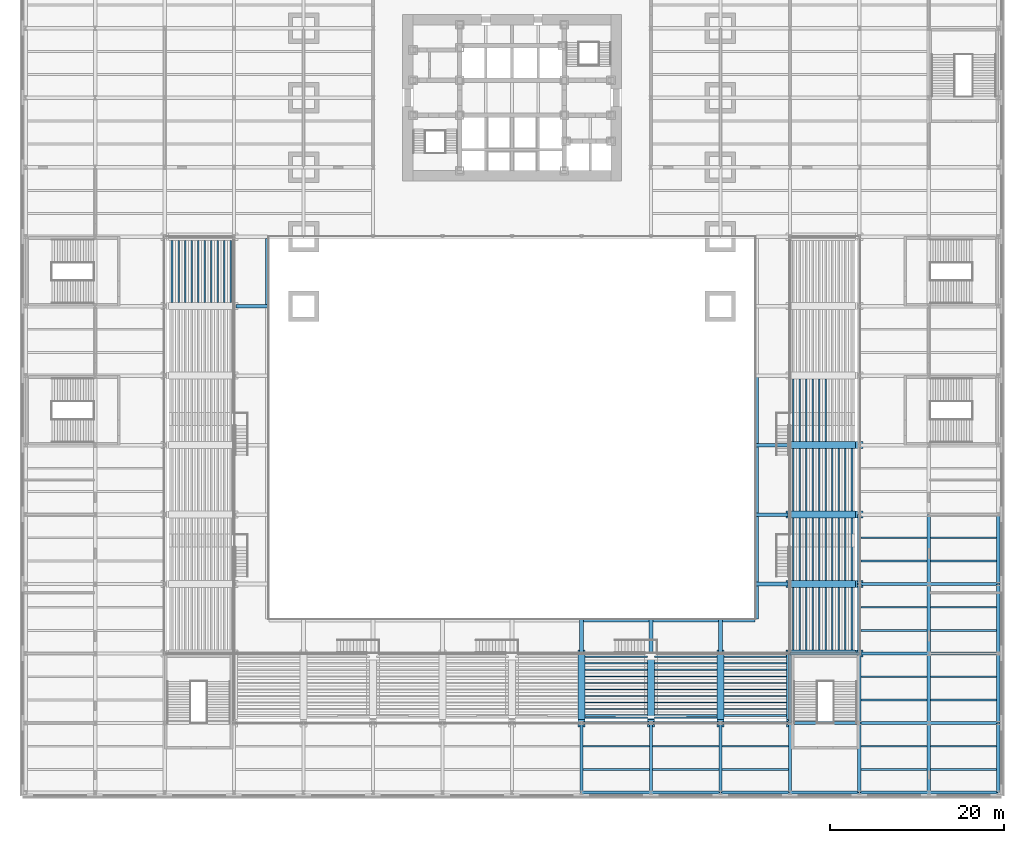
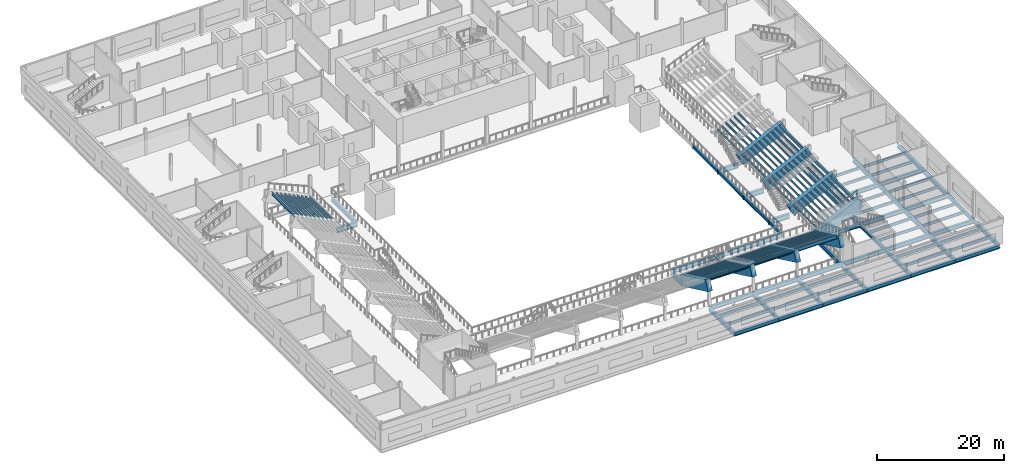
# One storey, part 8 of 27: 155 beams.
"""IFC4 building model written with IfcOpenShell, lengths in metres."""

from ifc_helpers import new_model, si_unit, direction, frame, origin, origin_2d, place, context, subcontext, project, spatial, rectangle, i_section, extrude, material, material_profile, profile_set, type_object, element, save


model = new_model("IFC4")

# Units and contexts
model_context = context("Model", 3, precision=1e-05, world=origin(), true_north=direction((0.0, 1.0)))
body_context = subcontext(model_context, "Body", "Model", "MODEL_VIEW")
ifc_project = project(units=[si_unit("LENGTHUNIT", "METRE"), si_unit("AREAUNIT", "SQUARE_METRE"), si_unit("VOLUMEUNIT", "CUBIC_METRE"), si_unit("PLANEANGLEUNIT", "RADIAN"), si_unit("MASSUNIT", "GRAM", prefix="KILO")], contexts=[model_context])

# Site, building, storey
site_placement = place(None, origin())
site = spatial("IfcSite", under=ifc_project, at=site_placement, CompositionType="ELEMENT")
building_placement = place(site_placement, origin())
building = spatial("IfcBuilding", under=site, at=building_placement, Name="Daluyong Arena Tower", CompositionType="ELEMENT")
storey_placement = place(building_placement, frame((0.0, 0.0, 14.89990234375)))
storey = spatial("IfcBuildingStorey", under=building, at=storey_placement, Name="L03", CompositionType="ELEMENT", Elevation=14.89990234375)

# Beams
ifc_material_1 = material(Name="Steel ASTM A992 Grade 50", Category="steel")
ifc_material_profile_1 = material_profile(ifc_material_1, i_section(OverallWidth=0.424072265625, OverallDepth=0.947509765625, WebThickness=0.02392578125, FlangeThickness=0.042724609375, at=origin_2d()))
ifc_profile_set_1 = profile_set([ifc_material_profile_1], Name="Steel ASTM A992 Grade 50")
beam_type_1 = type_object("IfcBeamType", Name="Cross-aisle bracket W36X302", PredefinedType="BEAM", material=ifc_profile_set_1)
for number, where, z_axis, x_axis, name in (
    (1, (24.203125, 56.0, -0.773681640625), (1.0, 0.0, 0.0), (0.0, 1.0, 0.0), "cross-aisle bracket CB1"),
    (2, (87.796875, 24.0, -0.773681640625), (-1.0, 0.0, 0.0), (0.0, -1.0, 0.0), "cross-aisle bracket CB1"),
    (3, (87.796875, 32.0, -0.773681640625), (-1.0, 0.0, 0.0), (0.0, -1.0, 0.0), "cross-aisle bracket CB1"),
    (4, (87.796875, 40.0, -0.773681640625), (-1.0, 0.0, 0.0), (0.0, -1.0, 0.0), "cross-aisle bracket CB1"),
    (5, (64.0, 16.203125, -0.773681640625), (0.0, 1.0, 0.0), (-1.0, 0.0, 0.0), "cross-aisle bracket CB1"),
    (6, (72.0, 16.203125, -0.773681640625), (0.0, 1.0, 0.0), (-1.0, 0.0, 0.0), "cross-aisle bracket CB1"),
    (7, (80.0, 16.203125, -0.773681640625), (0.0, 1.0, 0.0), (-1.0, 0.0, 0.0), "cross-aisle bracket CB1"),
):
    element("IfcBeam", number, at=place(storey_placement, frame(where, z_axis=z_axis, x_axis=x_axis)), inside=storey, type_object=beam_type_1, Name=name, PredefinedType="BEAM", context=body_context, shape_type="SweptSolid", body=[
        extrude(i_section(OverallWidth=0.424072265625, OverallDepth=0.947509765625, WebThickness=0.02392578125, FlangeThickness=0.042724609375, at=origin_2d()), origin(), (0.0, 0.0, 1.0), 3.796875),
    ])
ifc_material_2 = material(Name="Steel ASTM A992 Grade 50", Category="steel")
ifc_material_profile_2 = material_profile(ifc_material_2, i_section(OverallWidth=0.381103515625, OverallDepth=0.772216796875, WebThickness=0.0166015625, FlangeThickness=0.027099609375, at=origin_2d()))
ifc_profile_set_2 = profile_set([ifc_material_profile_2], Name="Steel ASTM A992 Grade 50")
beam_type_2 = type_object("IfcBeamType", Name="Cross-aisle edge beam W30X173", PredefinedType="BEAM", material=ifc_profile_set_2)
beam_1_placement = place(storey_placement, frame((27.8095703125, 56.0, -0.68603515625), z_axis=(0.0, 1.0, 0.0), x_axis=(-1.0, 0.0, 0.0)))
element("IfcBeam", 8, at=beam_1_placement, inside=storey, type_object=beam_type_2, Name="cross-aisle edge beam CE1", PredefinedType="BEAM", context=body_context, shape_type="SweptSolid", body=[
    extrude(i_section(OverallWidth=0.381103515625, OverallDepth=0.772216796875, WebThickness=0.0166015625, FlangeThickness=0.027099609375, at=origin_2d()), origin(), (0.0, 0.0, 1.0), 7.8095703125),
])
beam_2_placement = place(storey_placement, frame((84.1904296875, 20.0, -0.68603515625), z_axis=(0.0, 1.0, 0.0), x_axis=(-1.0, 0.0, 0.0)))
element("IfcBeam", 9, at=beam_2_placement, inside=storey, type_object=beam_type_2, Name="cross-aisle edge beam CE1", PredefinedType="BEAM", context=body_context, shape_type="SweptSolid", body=[
    extrude(i_section(OverallWidth=0.381103515625, OverallDepth=0.772216796875, WebThickness=0.0166015625, FlangeThickness=0.027099609375, at=origin_2d()), origin(), (0.0, 0.0, 1.0), 12.0),
])
for number, where, z_axis, x_axis, name in (
    (10, (84.1904296875, 32.0, -0.68603515625), (0.0, 1.0, 0.0), (-1.0, 0.0, 0.0), "cross-aisle edge beam CE1"),
    (11, (84.1904296875, 40.0, -0.68603515625), (0.0, 1.0, 0.0), (-1.0, 0.0, 0.0), "cross-aisle edge beam CE1"),
    (12, (64.0, 19.8095703125, -0.68603515625), (1.0, 0.0, 0.0), (0.0, 1.0, 0.0), "cross-aisle edge beam CE1"),
):
    element("IfcBeam", number, at=place(storey_placement, frame(where, z_axis=z_axis, x_axis=x_axis)), inside=storey, type_object=beam_type_2, Name=name, PredefinedType="BEAM", context=body_context, shape_type="SweptSolid", body=[
        extrude(i_section(OverallWidth=0.381103515625, OverallDepth=0.772216796875, WebThickness=0.0166015625, FlangeThickness=0.027099609375, at=origin_2d()), origin(), (0.0, 0.0, 1.0), 8.0),
    ])
beam_3_placement = place(storey_placement, frame((72.0, 19.8095703125, -0.68603515625), z_axis=(1.0, 0.0, 0.0), x_axis=(0.0, 1.0, 0.0)))
element("IfcBeam", 13, at=beam_3_placement, inside=storey, type_object=beam_type_2, Name="cross-aisle edge beam CE1", PredefinedType="BEAM", context=body_context, shape_type="SweptSolid", body=[
    extrude(i_section(OverallWidth=0.381103515625, OverallDepth=0.772216796875, WebThickness=0.0166015625, FlangeThickness=0.027099609375, at=origin_2d()), origin(), (0.0, 0.0, 1.0), 12.0),
])
ifc_material_3 = material(Name="Steel ASTM A992 Grade 50", Category="steel")
ifc_material_profile_3 = material_profile(ifc_material_3, i_section(OverallWidth=0.209228515625, OverallDepth=0.533447265625, WebThickness=0.01025390625, FlangeThickness=0.015625, at=origin_2d()))
ifc_profile_set_3 = profile_set([ifc_material_profile_3], Name="Steel ASTM A992 Grade 50")
beam_type_3 = type_object("IfcBeamType", Name="Podium floor beam W21X62", PredefinedType="BEAM", material=ifc_profile_set_3)
for number, where, z_axis, x_axis, name in (
    (14, (64.1904296875, 2.666748046875, -0.466552734375), (1.0, 0.0, 0.0), (0.0, 1.0, 0.0), "podium floor beam PB1"),
    (15, (64.1904296875, 5.333251953125, -0.466552734375), (1.0, 0.0, 0.0), (0.0, 1.0, 0.0), "podium floor beam PB1"),
    (16, (72.1904296875, 2.666748046875, -0.466552734375), (1.0, 0.0, 0.0), (0.0, 1.0, 0.0), "podium floor beam PB1"),
    (17, (72.1904296875, 5.333251953125, -0.466552734375), (1.0, 0.0, 0.0), (0.0, 1.0, 0.0), "podium floor beam PB1"),
    (18, (80.1904296875, 2.666748046875, -0.466552734375), (1.0, 0.0, 0.0), (0.0, 1.0, 0.0), "podium floor beam PB1"),
    (19, (80.1904296875, 5.333251953125, -0.466552734375), (1.0, 0.0, 0.0), (0.0, 1.0, 0.0), "podium floor beam PB1"),
    (20, (96.1904296875, 2.666748046875, -0.466552734375), (1.0, 0.0, 0.0), (0.0, 1.0, 0.0), "podium floor beam PB1"),
    (21, (96.1904296875, 5.333251953125, -0.466552734375), (1.0, 0.0, 0.0), (0.0, 1.0, 0.0), "podium floor beam PB1"),
    (22, (96.1904296875, 10.666748046875, -0.466552734375), (1.0, 0.0, 0.0), (0.0, 1.0, 0.0), "podium floor beam PB1"),
    (23, (96.1904296875, 13.333251953125, -0.466552734375), (1.0, 0.0, 0.0), (0.0, 1.0, 0.0), "podium floor beam PB1"),
    (24, (96.1904296875, 18.666748046875, -0.466552734375), (1.0, 0.0, 0.0), (0.0, 1.0, 0.0), "podium floor beam PB1"),
    (25, (96.1904296875, 21.333251953125, -0.466552734375), (1.0, 0.0, 0.0), (0.0, 1.0, 0.0), "podium floor beam PB1"),
    (26, (96.1904296875, 26.666748046875, -0.466552734375), (1.0, 0.0, 0.0), (0.0, 1.0, 0.0), "podium floor beam PB1"),
    (27, (96.1904296875, 29.333251953125, -0.466552734375), (1.0, 0.0, 0.0), (0.0, 1.0, 0.0), "podium floor beam PB1"),
    (28, (104.1904296875, 2.666748046875, -0.466552734375), (1.0, 0.0, 0.0), (0.0, 1.0, 0.0), "podium floor beam PB1"),
    (29, (104.1904296875, 5.333251953125, -0.466552734375), (1.0, 0.0, 0.0), (0.0, 1.0, 0.0), "podium floor beam PB1"),
    (30, (104.1904296875, 10.666748046875, -0.466552734375), (1.0, 0.0, 0.0), (0.0, 1.0, 0.0), "podium floor beam PB1"),
    (31, (104.1904296875, 13.333251953125, -0.466552734375), (1.0, 0.0, 0.0), (0.0, 1.0, 0.0), "podium floor beam PB1"),
    (32, (104.1904296875, 18.666748046875, -0.466552734375), (1.0, 0.0, 0.0), (0.0, 1.0, 0.0), "podium floor beam PB1"),
    (33, (104.1904296875, 21.333251953125, -0.466552734375), (1.0, 0.0, 0.0), (0.0, 1.0, 0.0), "podium floor beam PB1"),
    (34, (104.1904296875, 26.666748046875, -0.466552734375), (1.0, 0.0, 0.0), (0.0, 1.0, 0.0), "podium floor beam PB1"),
    (35, (104.1904296875, 29.333251953125, -0.466552734375), (1.0, 0.0, 0.0), (0.0, 1.0, 0.0), "podium floor beam PB1"),
):
    element("IfcBeam", number, at=place(storey_placement, frame(where, z_axis=z_axis, x_axis=x_axis)), inside=storey, type_object=beam_type_3, Name=name, PredefinedType="BEAM", context=body_context, shape_type="SweptSolid", body=[
        extrude(i_section(OverallWidth=0.209228515625, OverallDepth=0.533447265625, WebThickness=0.01025390625, FlangeThickness=0.015625, at=origin_2d()), origin(), (0.0, 0.0, 1.0), 7.619140625),
    ])
ifc_material_4 = material(Name="Steel ASTM A992 Grade 50", Category="steel")
ifc_material_profile_4 = material_profile(ifc_material_4, i_section(OverallWidth=0.381103515625, OverallDepth=0.772216796875, WebThickness=0.0166015625, FlangeThickness=0.027099609375, at=origin_2d()))
ifc_profile_set_4 = profile_set([ifc_material_profile_4], Name="Steel ASTM A992 Grade 50")
beam_type_4 = type_object("IfcBeamType", Name="Podium girder W30X173", PredefinedType="BEAM", material=ifc_profile_set_4)
for number, where, z_axis, x_axis, name in (
    (36, (64.0, 0.0, -0.5859375), (1.0, 0.0, 0.0), (0.0, 1.0, 0.0), "podium girder PG1"),
    (37, (64.0, 0.0, -0.5859375), (0.0, 1.0, 0.0), (-1.0, 0.0, 0.0), "podium girder PG1"),
    (38, (64.0, 8.0, -0.5859375), (1.0, 0.0, 0.0), (0.0, 1.0, 0.0), "podium girder PG1"),
    (39, (72.0, 0.0, -0.5859375), (1.0, 0.0, 0.0), (0.0, 1.0, 0.0), "podium girder PG1"),
    (40, (72.0, 0.0, -0.5859375), (0.0, 1.0, 0.0), (-1.0, 0.0, 0.0), "podium girder PG1"),
    (41, (72.0, 8.0, -0.5859375), (1.0, 0.0, 0.0), (0.0, 1.0, 0.0), "podium girder PG1"),
    (42, (80.0, 0.0, -0.5859375), (1.0, 0.0, 0.0), (0.0, 1.0, 0.0), "podium girder PG1"),
    (43, (80.0, 0.0, -0.5859375), (0.0, 1.0, 0.0), (-1.0, 0.0, 0.0), "podium girder PG1"),
    (44, (80.0, 8.0, -0.5859375), (1.0, 0.0, 0.0), (0.0, 1.0, 0.0), "podium girder PG1"),
    (45, (88.0, 0.0, -0.5859375), (1.0, 0.0, 0.0), (0.0, 1.0, 0.0), "podium girder PG1"),
    (46, (88.0, 0.0, -0.5859375), (0.0, 1.0, 0.0), (-1.0, 0.0, 0.0), "podium girder PG1"),
    (47, (88.0, 8.0, -0.5859375), (1.0, 0.0, 0.0), (0.0, 1.0, 0.0), "podium girder PG1"),
    (48, (88.0, 8.0, -0.5859375), (0.0, 1.0, 0.0), (-1.0, 0.0, 0.0), "podium girder PG1"),
    (49, (88.0, 16.0, -0.5859375), (1.0, 0.0, 0.0), (0.0, 1.0, 0.0), "podium girder PG1"),
    (50, (96.0, 0.0, -0.5859375), (1.0, 0.0, 0.0), (0.0, 1.0, 0.0), "podium girder PG1"),
    (51, (96.0, 0.0, -0.5859375), (0.0, 1.0, 0.0), (-1.0, 0.0, 0.0), "podium girder PG1"),
    (52, (96.0, 8.0, -0.5859375), (1.0, 0.0, 0.0), (0.0, 1.0, 0.0), "podium girder PG1"),
    (53, (96.0, 8.0, -0.5859375), (0.0, 1.0, 0.0), (-1.0, 0.0, 0.0), "podium girder PG1"),
    (54, (96.0, 16.0, -0.5859375), (1.0, 0.0, 0.0), (0.0, 1.0, 0.0), "podium girder PG1"),
    (55, (96.0, 16.0, -0.5859375), (0.0, 1.0, 0.0), (-1.0, 0.0, 0.0), "podium girder PG1"),
    (56, (96.0, 24.0, -0.5859375), (1.0, 0.0, 0.0), (0.0, 1.0, 0.0), "podium girder PG1"),
    (57, (96.0, 24.0, -0.5859375), (0.0, 1.0, 0.0), (-1.0, 0.0, 0.0), "podium girder PG1"),
    (58, (104.0, 0.0, -0.5859375), (1.0, 0.0, 0.0), (0.0, 1.0, 0.0), "podium girder PG1"),
    (59, (104.0, 0.0, -0.5859375), (0.0, 1.0, 0.0), (-1.0, 0.0, 0.0), "podium girder PG1"),
    (60, (104.0, 8.0, -0.5859375), (1.0, 0.0, 0.0), (0.0, 1.0, 0.0), "podium girder PG1"),
    (61, (104.0, 8.0, -0.5859375), (0.0, 1.0, 0.0), (-1.0, 0.0, 0.0), "podium girder PG1"),
    (62, (104.0, 16.0, -0.5859375), (1.0, 0.0, 0.0), (0.0, 1.0, 0.0), "podium girder PG1"),
    (63, (104.0, 16.0, -0.5859375), (0.0, 1.0, 0.0), (-1.0, 0.0, 0.0), "podium girder PG1"),
    (64, (104.0, 24.0, -0.5859375), (1.0, 0.0, 0.0), (0.0, 1.0, 0.0), "podium girder PG1"),
    (65, (104.0, 24.0, -0.5859375), (0.0, 1.0, 0.0), (-1.0, 0.0, 0.0), "podium girder PG1"),
    (66, (112.0, 0.0, -0.5859375), (0.0, 1.0, 0.0), (-1.0, 0.0, 0.0), "podium girder PG1"),
    (67, (112.0, 8.0, -0.5859375), (0.0, 1.0, 0.0), (-1.0, 0.0, 0.0), "podium girder PG1"),
    (68, (112.0, 16.0, -0.5859375), (0.0, 1.0, 0.0), (-1.0, 0.0, 0.0), "podium girder PG1"),
    (69, (112.0, 24.0, -0.5859375), (0.0, 1.0, 0.0), (-1.0, 0.0, 0.0), "podium girder PG1"),
):
    element("IfcBeam", number, at=place(storey_placement, frame(where, z_axis=z_axis, x_axis=x_axis)), inside=storey, type_object=beam_type_4, Name=name, PredefinedType="BEAM", context=body_context, shape_type="SweptSolid", body=[
        extrude(i_section(OverallWidth=0.381103515625, OverallDepth=0.772216796875, WebThickness=0.0166015625, FlangeThickness=0.027099609375, at=origin_2d()), origin(), (0.0, 0.0, 1.0), 8.0),
    ])
ifc_material_5 = material(Name="Steel ASTM A992 Grade 50", Category="steel")
ifc_material_profile_5 = material_profile(ifc_material_5, i_section(OverallWidth=0.140380859375, OverallDepth=0.40380859375, WebThickness=0.007080078125, FlangeThickness=0.01123046875, at=origin_2d()))
ifc_profile_set_5 = profile_set([ifc_material_profile_5], Name="Steel ASTM A992 Grade 50")
beam_type_5 = type_object("IfcBeamType", Name="Seating beam W16X31", PredefinedType="BEAM", material=ifc_profile_set_5)
beam_4_placement = place(storey_placement, frame((23.625, 56.39990234375, 1.226806640625), z_axis=(0.0, 1.0, 0.0), x_axis=(-1.0, 0.0, 0.0)))
element("IfcBeam", 70, at=beam_4_placement, inside=storey, type_object=beam_type_5, Name="seating beam SN1", PredefinedType="BEAM", context=body_context, shape_type="SweptSolid", body=[
    extrude(i_section(OverallWidth=0.140380859375, OverallDepth=0.40380859375, WebThickness=0.007080078125, FlangeThickness=0.01123046875, at=origin_2d()), origin(), (0.0, 0.0, 1.0), 7.150146484375),
])
for number, where, z_axis, x_axis, name in (
    (71, (88.375, 16.39990234375, 1.226806640625), (0.0, 1.0, 0.0), (-1.0, 0.0, 0.0), "seating beam SN1"),
    (72, (88.375, 24.39990234375, 1.226806640625), (0.0, 1.0, 0.0), (-1.0, 0.0, 0.0), "seating beam SN1"),
    (73, (88.375, 32.39990234375, 1.226806640625), (0.0, 1.0, 0.0), (-1.0, 0.0, 0.0), "seating beam SN1"),
    (74, (88.375, 40.39990234375, 1.226806640625), (0.0, 1.0, 0.0), (-1.0, 0.0, 0.0), "seating beam SN1"),
    (75, (64.39990234375, 15.625, 1.226806640625), (1.0, 0.0, 0.0), (0.0, 1.0, 0.0), "seating beam SN1"),
    (76, (72.39990234375, 15.625, 1.226806640625), (1.0, 0.0, 0.0), (0.0, 1.0, 0.0), "seating beam SN1"),
    (77, (80.39990234375, 15.625, 1.226806640625), (1.0, 0.0, 0.0), (0.0, 1.0, 0.0), "seating beam SN1"),
):
    element("IfcBeam", number, at=place(storey_placement, frame(where, z_axis=z_axis, x_axis=x_axis)), inside=storey, type_object=beam_type_5, Name=name, PredefinedType="BEAM", context=body_context, shape_type="SweptSolid", body=[
        extrude(i_section(OverallWidth=0.140380859375, OverallDepth=0.40380859375, WebThickness=0.007080078125, FlangeThickness=0.01123046875, at=origin_2d()), origin(), (0.0, 0.0, 1.0), 7.2001953125),
    ])
beam_5_placement = place(storey_placement, frame((22.875, 56.39990234375, 1.583984375), z_axis=(0.0, 1.0, 0.0), x_axis=(-1.0, 0.0, 0.0)))
element("IfcBeam", 78, at=beam_5_placement, inside=storey, type_object=beam_type_5, Name="seating beam SN1", PredefinedType="BEAM", context=body_context, shape_type="SweptSolid", body=[
    extrude(i_section(OverallWidth=0.140380859375, OverallDepth=0.40380859375, WebThickness=0.007080078125, FlangeThickness=0.01123046875, at=origin_2d()), origin(), (0.0, 0.0, 1.0), 7.150146484375),
])
for number, where, z_axis, x_axis, name in (
    (79, (89.125, 16.39990234375, 1.583984375), (0.0, 1.0, 0.0), (-1.0, 0.0, 0.0), "seating beam SN1"),
    (80, (89.125, 24.39990234375, 1.583984375), (0.0, 1.0, 0.0), (-1.0, 0.0, 0.0), "seating beam SN1"),
    (81, (89.125, 32.39990234375, 1.583984375), (0.0, 1.0, 0.0), (-1.0, 0.0, 0.0), "seating beam SN1"),
    (82, (89.125, 40.39990234375, 1.583984375), (0.0, 1.0, 0.0), (-1.0, 0.0, 0.0), "seating beam SN1"),
    (83, (64.39990234375, 14.875, 1.583984375), (1.0, 0.0, 0.0), (0.0, 1.0, 0.0), "seating beam SN1"),
    (84, (72.39990234375, 14.875, 1.583984375), (1.0, 0.0, 0.0), (0.0, 1.0, 0.0), "seating beam SN1"),
    (85, (80.39990234375, 14.875, 1.583984375), (1.0, 0.0, 0.0), (0.0, 1.0, 0.0), "seating beam SN1"),
):
    element("IfcBeam", number, at=place(storey_placement, frame(where, z_axis=z_axis, x_axis=x_axis)), inside=storey, type_object=beam_type_5, Name=name, PredefinedType="BEAM", context=body_context, shape_type="SweptSolid", body=[
        extrude(i_section(OverallWidth=0.140380859375, OverallDepth=0.40380859375, WebThickness=0.007080078125, FlangeThickness=0.01123046875, at=origin_2d()), origin(), (0.0, 0.0, 1.0), 7.2001953125),
    ])
beam_6_placement = place(storey_placement, frame((22.125, 56.39990234375, 1.94091796875), z_axis=(0.0, 1.0, 0.0), x_axis=(-1.0, 0.0, 0.0)))
element("IfcBeam", 86, at=beam_6_placement, inside=storey, type_object=beam_type_5, Name="seating beam SN1", PredefinedType="BEAM", context=body_context, shape_type="SweptSolid", body=[
    extrude(i_section(OverallWidth=0.140380859375, OverallDepth=0.40380859375, WebThickness=0.007080078125, FlangeThickness=0.01123046875, at=origin_2d()), origin(), (0.0, 0.0, 1.0), 7.150146484375),
])
for number, where, z_axis, x_axis, name in (
    (87, (89.875, 16.39990234375, 1.94091796875), (0.0, 1.0, 0.0), (-1.0, 0.0, 0.0), "seating beam SN1"),
    (88, (89.875, 24.39990234375, 1.94091796875), (0.0, 1.0, 0.0), (-1.0, 0.0, 0.0), "seating beam SN1"),
    (89, (89.875, 32.39990234375, 1.94091796875), (0.0, 1.0, 0.0), (-1.0, 0.0, 0.0), "seating beam SN1"),
    (90, (89.875, 40.39990234375, 1.94091796875), (0.0, 1.0, 0.0), (-1.0, 0.0, 0.0), "seating beam SN1"),
    (91, (64.39990234375, 14.125, 1.94091796875), (1.0, 0.0, 0.0), (0.0, 1.0, 0.0), "seating beam SN1"),
    (92, (72.39990234375, 14.125, 1.94091796875), (1.0, 0.0, 0.0), (0.0, 1.0, 0.0), "seating beam SN1"),
    (93, (80.39990234375, 14.125, 1.94091796875), (1.0, 0.0, 0.0), (0.0, 1.0, 0.0), "seating beam SN1"),
):
    element("IfcBeam", number, at=place(storey_placement, frame(where, z_axis=z_axis, x_axis=x_axis)), inside=storey, type_object=beam_type_5, Name=name, PredefinedType="BEAM", context=body_context, shape_type="SweptSolid", body=[
        extrude(i_section(OverallWidth=0.140380859375, OverallDepth=0.40380859375, WebThickness=0.007080078125, FlangeThickness=0.01123046875, at=origin_2d()), origin(), (0.0, 0.0, 1.0), 7.2001953125),
    ])
beam_7_placement = place(storey_placement, frame((21.375, 56.39990234375, 2.298095703125), z_axis=(0.0, 1.0, 0.0), x_axis=(-1.0, 0.0, 0.0)))
element("IfcBeam", 94, at=beam_7_placement, inside=storey, type_object=beam_type_5, Name="seating beam SN1", PredefinedType="BEAM", context=body_context, shape_type="SweptSolid", body=[
    extrude(i_section(OverallWidth=0.140380859375, OverallDepth=0.40380859375, WebThickness=0.007080078125, FlangeThickness=0.01123046875, at=origin_2d()), origin(), (0.0, 0.0, 1.0), 7.150146484375),
])
for number, where, z_axis, x_axis, name in (
    (95, (90.625, 16.39990234375, 2.298095703125), (0.0, 1.0, 0.0), (-1.0, 0.0, 0.0), "seating beam SN1"),
    (96, (90.625, 24.39990234375, 2.298095703125), (0.0, 1.0, 0.0), (-1.0, 0.0, 0.0), "seating beam SN1"),
    (97, (90.625, 32.39990234375, 2.298095703125), (0.0, 1.0, 0.0), (-1.0, 0.0, 0.0), "seating beam SN1"),
    (98, (90.625, 40.39990234375, 2.298095703125), (0.0, 1.0, 0.0), (-1.0, 0.0, 0.0), "seating beam SN1"),
    (99, (64.39990234375, 13.375, 2.298095703125), (1.0, 0.0, 0.0), (0.0, 1.0, 0.0), "seating beam SN1"),
    (100, (72.39990234375, 13.375, 2.298095703125), (1.0, 0.0, 0.0), (0.0, 1.0, 0.0), "seating beam SN1"),
    (101, (80.39990234375, 13.375, 2.298095703125), (1.0, 0.0, 0.0), (0.0, 1.0, 0.0), "seating beam SN1"),
):
    element("IfcBeam", number, at=place(storey_placement, frame(where, z_axis=z_axis, x_axis=x_axis)), inside=storey, type_object=beam_type_5, Name=name, PredefinedType="BEAM", context=body_context, shape_type="SweptSolid", body=[
        extrude(i_section(OverallWidth=0.140380859375, OverallDepth=0.40380859375, WebThickness=0.007080078125, FlangeThickness=0.01123046875, at=origin_2d()), origin(), (0.0, 0.0, 1.0), 7.2001953125),
    ])
beam_8_placement = place(storey_placement, frame((20.625, 56.39990234375, 2.6552734375), z_axis=(0.0, 1.0, 0.0), x_axis=(-1.0, 0.0, 0.0)))
element("IfcBeam", 102, at=beam_8_placement, inside=storey, type_object=beam_type_5, Name="seating beam SN1", PredefinedType="BEAM", context=body_context, shape_type="SweptSolid", body=[
    extrude(i_section(OverallWidth=0.140380859375, OverallDepth=0.40380859375, WebThickness=0.007080078125, FlangeThickness=0.01123046875, at=origin_2d()), origin(), (0.0, 0.0, 1.0), 7.150146484375),
])
for number, where, z_axis, x_axis, name in (
    (103, (91.375, 16.39990234375, 2.6552734375), (0.0, 1.0, 0.0), (-1.0, 0.0, 0.0), "seating beam SN1"),
    (104, (91.375, 24.39990234375, 2.6552734375), (0.0, 1.0, 0.0), (-1.0, 0.0, 0.0), "seating beam SN1"),
    (105, (91.375, 32.39990234375, 2.6552734375), (0.0, 1.0, 0.0), (-1.0, 0.0, 0.0), "seating beam SN1"),
    (106, (91.375, 40.39990234375, 2.6552734375), (0.0, 1.0, 0.0), (-1.0, 0.0, 0.0), "seating beam SN1"),
    (107, (64.39990234375, 12.625, 2.6552734375), (1.0, 0.0, 0.0), (0.0, 1.0, 0.0), "seating beam SN1"),
    (108, (72.39990234375, 12.625, 2.6552734375), (1.0, 0.0, 0.0), (0.0, 1.0, 0.0), "seating beam SN1"),
    (109, (80.39990234375, 12.625, 2.6552734375), (1.0, 0.0, 0.0), (0.0, 1.0, 0.0), "seating beam SN1"),
):
    element("IfcBeam", number, at=place(storey_placement, frame(where, z_axis=z_axis, x_axis=x_axis)), inside=storey, type_object=beam_type_5, Name=name, PredefinedType="BEAM", context=body_context, shape_type="SweptSolid", body=[
        extrude(i_section(OverallWidth=0.140380859375, OverallDepth=0.40380859375, WebThickness=0.007080078125, FlangeThickness=0.01123046875, at=origin_2d()), origin(), (0.0, 0.0, 1.0), 7.2001953125),
    ])
beam_9_placement = place(storey_placement, frame((19.875, 56.39990234375, 3.012451171875), z_axis=(0.0, 1.0, 0.0), x_axis=(-1.0, 0.0, 0.0)))
element("IfcBeam", 110, at=beam_9_placement, inside=storey, type_object=beam_type_5, Name="seating beam SN1", PredefinedType="BEAM", context=body_context, shape_type="SweptSolid", body=[
    extrude(i_section(OverallWidth=0.140380859375, OverallDepth=0.40380859375, WebThickness=0.007080078125, FlangeThickness=0.01123046875, at=origin_2d()), origin(), (0.0, 0.0, 1.0), 7.150146484375),
])
for number, where, z_axis, x_axis, name in (
    (111, (92.125, 16.39990234375, 3.012451171875), (0.0, 1.0, 0.0), (-1.0, 0.0, 0.0), "seating beam SN1"),
    (112, (92.125, 24.39990234375, 3.012451171875), (0.0, 1.0, 0.0), (-1.0, 0.0, 0.0), "seating beam SN1"),
    (113, (92.125, 32.39990234375, 3.012451171875), (0.0, 1.0, 0.0), (-1.0, 0.0, 0.0), "seating beam SN1"),
    (114, (92.125, 40.39990234375, 3.012451171875), (0.0, 1.0, 0.0), (-1.0, 0.0, 0.0), "seating beam SN1"),
    (115, (64.39990234375, 11.875, 3.012451171875), (1.0, 0.0, 0.0), (0.0, 1.0, 0.0), "seating beam SN1"),
    (116, (72.39990234375, 11.875, 3.012451171875), (1.0, 0.0, 0.0), (0.0, 1.0, 0.0), "seating beam SN1"),
    (117, (80.39990234375, 11.875, 3.012451171875), (1.0, 0.0, 0.0), (0.0, 1.0, 0.0), "seating beam SN1"),
):
    element("IfcBeam", number, at=place(storey_placement, frame(where, z_axis=z_axis, x_axis=x_axis)), inside=storey, type_object=beam_type_5, Name=name, PredefinedType="BEAM", context=body_context, shape_type="SweptSolid", body=[
        extrude(i_section(OverallWidth=0.140380859375, OverallDepth=0.40380859375, WebThickness=0.007080078125, FlangeThickness=0.01123046875, at=origin_2d()), origin(), (0.0, 0.0, 1.0), 7.2001953125),
    ])
beam_10_placement = place(storey_placement, frame((19.125, 56.39990234375, 3.36962890625), z_axis=(0.0, 1.0, 0.0), x_axis=(-1.0, 0.0, 0.0)))
element("IfcBeam", 118, at=beam_10_placement, inside=storey, type_object=beam_type_5, Name="seating beam SN1", PredefinedType="BEAM", context=body_context, shape_type="SweptSolid", body=[
    extrude(i_section(OverallWidth=0.140380859375, OverallDepth=0.40380859375, WebThickness=0.007080078125, FlangeThickness=0.01123046875, at=origin_2d()), origin(), (0.0, 0.0, 1.0), 7.150146484375),
])
for number, where, z_axis, x_axis, name in (
    (119, (92.875, 16.39990234375, 3.36962890625), (0.0, 1.0, 0.0), (-1.0, 0.0, 0.0), "seating beam SN1"),
    (120, (92.875, 24.39990234375, 3.36962890625), (0.0, 1.0, 0.0), (-1.0, 0.0, 0.0), "seating beam SN1"),
    (121, (92.875, 32.39990234375, 3.36962890625), (0.0, 1.0, 0.0), (-1.0, 0.0, 0.0), "seating beam SN1"),
    (122, (64.39990234375, 11.125, 3.36962890625), (1.0, 0.0, 0.0), (0.0, 1.0, 0.0), "seating beam SN1"),
    (123, (72.39990234375, 11.125, 3.36962890625), (1.0, 0.0, 0.0), (0.0, 1.0, 0.0), "seating beam SN1"),
    (124, (80.39990234375, 11.125, 3.36962890625), (1.0, 0.0, 0.0), (0.0, 1.0, 0.0), "seating beam SN1"),
):
    element("IfcBeam", number, at=place(storey_placement, frame(where, z_axis=z_axis, x_axis=x_axis)), inside=storey, type_object=beam_type_5, Name=name, PredefinedType="BEAM", context=body_context, shape_type="SweptSolid", body=[
        extrude(i_section(OverallWidth=0.140380859375, OverallDepth=0.40380859375, WebThickness=0.007080078125, FlangeThickness=0.01123046875, at=origin_2d()), origin(), (0.0, 0.0, 1.0), 7.2001953125),
    ])
beam_11_placement = place(storey_placement, frame((18.375, 56.39990234375, 3.726806640625), z_axis=(0.0, 1.0, 0.0), x_axis=(-1.0, 0.0, 0.0)))
element("IfcBeam", 125, at=beam_11_placement, inside=storey, type_object=beam_type_5, Name="seating beam SN1", PredefinedType="BEAM", context=body_context, shape_type="SweptSolid", body=[
    extrude(i_section(OverallWidth=0.140380859375, OverallDepth=0.40380859375, WebThickness=0.007080078125, FlangeThickness=0.01123046875, at=origin_2d()), origin(), (0.0, 0.0, 1.0), 7.150146484375),
])
for number, where, z_axis, x_axis, name in (
    (126, (93.625, 16.39990234375, 3.726806640625), (0.0, 1.0, 0.0), (-1.0, 0.0, 0.0), "seating beam SN1"),
    (127, (93.625, 24.39990234375, 3.726806640625), (0.0, 1.0, 0.0), (-1.0, 0.0, 0.0), "seating beam SN1"),
    (128, (93.625, 32.39990234375, 3.726806640625), (0.0, 1.0, 0.0), (-1.0, 0.0, 0.0), "seating beam SN1"),
    (129, (64.39990234375, 10.375, 3.726806640625), (1.0, 0.0, 0.0), (0.0, 1.0, 0.0), "seating beam SN1"),
    (130, (72.39990234375, 10.375, 3.726806640625), (1.0, 0.0, 0.0), (0.0, 1.0, 0.0), "seating beam SN1"),
    (131, (80.39990234375, 10.375, 3.726806640625), (1.0, 0.0, 0.0), (0.0, 1.0, 0.0), "seating beam SN1"),
):
    element("IfcBeam", number, at=place(storey_placement, frame(where, z_axis=z_axis, x_axis=x_axis)), inside=storey, type_object=beam_type_5, Name=name, PredefinedType="BEAM", context=body_context, shape_type="SweptSolid", body=[
        extrude(i_section(OverallWidth=0.140380859375, OverallDepth=0.40380859375, WebThickness=0.007080078125, FlangeThickness=0.01123046875, at=origin_2d()), origin(), (0.0, 0.0, 1.0), 7.2001953125),
    ])
beam_12_placement = place(storey_placement, frame((17.625, 56.39990234375, 4.083984375), z_axis=(0.0, 1.0, 0.0), x_axis=(-1.0, 0.0, 0.0)))
element("IfcBeam", 132, at=beam_12_placement, inside=storey, type_object=beam_type_5, Name="seating beam SN1", PredefinedType="BEAM", context=body_context, shape_type="SweptSolid", body=[
    extrude(i_section(OverallWidth=0.140380859375, OverallDepth=0.40380859375, WebThickness=0.007080078125, FlangeThickness=0.01123046875, at=origin_2d()), origin(), (0.0, 0.0, 1.0), 7.150146484375),
])
for number, where, z_axis, x_axis, name in (
    (133, (94.375, 16.39990234375, 4.083984375), (0.0, 1.0, 0.0), (-1.0, 0.0, 0.0), "seating beam SN1"),
    (134, (94.375, 24.39990234375, 4.083984375), (0.0, 1.0, 0.0), (-1.0, 0.0, 0.0), "seating beam SN1"),
    (135, (94.375, 32.39990234375, 4.083984375), (0.0, 1.0, 0.0), (-1.0, 0.0, 0.0), "seating beam SN1"),
    (136, (64.39990234375, 9.625, 4.083984375), (1.0, 0.0, 0.0), (0.0, 1.0, 0.0), "seating beam SN1"),
    (137, (72.39990234375, 9.625, 4.083984375), (1.0, 0.0, 0.0), (0.0, 1.0, 0.0), "seating beam SN1"),
    (138, (80.39990234375, 9.625, 4.083984375), (1.0, 0.0, 0.0), (0.0, 1.0, 0.0), "seating beam SN1"),
):
    element("IfcBeam", number, at=place(storey_placement, frame(where, z_axis=z_axis, x_axis=x_axis)), inside=storey, type_object=beam_type_5, Name=name, PredefinedType="BEAM", context=body_context, shape_type="SweptSolid", body=[
        extrude(i_section(OverallWidth=0.140380859375, OverallDepth=0.40380859375, WebThickness=0.007080078125, FlangeThickness=0.01123046875, at=origin_2d()), origin(), (0.0, 0.0, 1.0), 7.2001953125),
    ])
ifc_material_6 = material(Name="Steel ASTM A992 Grade 50", Category="steel")
ifc_material_profile_6 = material_profile(ifc_material_6, i_section(OverallWidth=0.22900390625, OverallDepth=0.612060546875, WebThickness=0.011962890625, FlangeThickness=0.01953125, at=origin_2d()))
ifc_profile_set_6 = profile_set([ifc_material_profile_6], Name="Steel ASTM A992 Grade 50")
beam_type_6 = type_object("IfcBeamType", Name="Seating beam W24X84", PredefinedType="BEAM", material=ifc_profile_set_6)
beam_13_placement = place(storey_placement, frame((16.875, 56.39990234375, 4.3369140625), z_axis=(0.0, 1.0, 0.0), x_axis=(-1.0, 0.0, 0.0)))
element("IfcBeam", 139, at=beam_13_placement, inside=storey, type_object=beam_type_6, Name="seating beam SN2", PredefinedType="BEAM", context=body_context, shape_type="SweptSolid", body=[
    extrude(i_section(OverallWidth=0.22900390625, OverallDepth=0.612060546875, WebThickness=0.011962890625, FlangeThickness=0.01953125, at=origin_2d()), origin(), (0.0, 0.0, 1.0), 7.150146484375),
])
for number, where, z_axis, x_axis, name in (
    (140, (95.125, 16.39990234375, 4.3369140625), (0.0, 1.0, 0.0), (-1.0, 0.0, 0.0), "seating beam SN2"),
    (141, (95.125, 24.39990234375, 4.3369140625), (0.0, 1.0, 0.0), (-1.0, 0.0, 0.0), "seating beam SN2"),
    (142, (95.125, 32.39990234375, 4.3369140625), (0.0, 1.0, 0.0), (-1.0, 0.0, 0.0), "seating beam SN2"),
    (143, (64.39990234375, 8.875, 4.3369140625), (1.0, 0.0, 0.0), (0.0, 1.0, 0.0), "seating beam SN2"),
    (144, (72.39990234375, 8.875, 4.3369140625), (1.0, 0.0, 0.0), (0.0, 1.0, 0.0), "seating beam SN2"),
    (145, (80.39990234375, 8.875, 4.3369140625), (1.0, 0.0, 0.0), (0.0, 1.0, 0.0), "seating beam SN2"),
):
    element("IfcBeam", number, at=place(storey_placement, frame(where, z_axis=z_axis, x_axis=x_axis)), inside=storey, type_object=beam_type_6, Name=name, PredefinedType="BEAM", context=body_context, shape_type="SweptSolid", body=[
        extrude(i_section(OverallWidth=0.22900390625, OverallDepth=0.612060546875, WebThickness=0.011962890625, FlangeThickness=0.01953125, at=origin_2d()), origin(), (0.0, 0.0, 1.0), 7.2001953125),
    ])
ifc_material_7 = material(Name="Steel ASTM A992 Grade 50", Category="steel")
ifc_material_profile_7 = material_profile(ifc_material_7, i_section(OverallWidth=0.203125, OverallDepth=0.203125, WebThickness=0.00732421875, FlangeThickness=0.010986328125, at=origin_2d()))
ifc_profile_set_7 = profile_set([ifc_material_profile_7], Name="Steel ASTM A992 Grade 50")
beam_type_7 = type_object("IfcBeamType", Name="Seating edge beam W8X31", PredefinedType="BEAM", material=ifc_profile_set_7)
for number, where, z_axis, x_axis, name in (
    (146, (64.39990234375, 8.6015625, 4.541259765625), (1.0, 0.0, 0.0), (0.0, 1.0, 0.0), "seating edge beam SE1"),
    (147, (72.39990234375, 8.6015625, 4.541259765625), (1.0, 0.0, 0.0), (0.0, 1.0, 0.0), "seating edge beam SE1"),
):
    element("IfcBeam", number, at=place(storey_placement, frame(where, z_axis=z_axis, x_axis=x_axis)), inside=storey, type_object=beam_type_7, Name=name, PredefinedType="BEAM", context=body_context, shape_type="SweptSolid", body=[
        extrude(i_section(OverallWidth=0.203125, OverallDepth=0.203125, WebThickness=0.00732421875, FlangeThickness=0.010986328125, at=origin_2d()), origin(), (0.0, 0.0, 1.0), 7.2001953125),
    ])
ifc_material_8 = material(Name="Concrete fc' 45 MPa", Category="concrete")
ifc_material_profile_8 = material_profile(ifc_material_8, rectangle(XDim=0.800048828125, YDim=2.0, at=origin_2d()))
ifc_profile_set_8 = profile_set([ifc_material_profile_8], Name="Concrete fc' 45 MPa")
beam_type_8 = type_object("IfcBeamType", Name="Seating raker RC800X2000", PredefinedType="BEAM", material=ifc_profile_set_8)
for number, where, z_axis, x_axis, name in (
    (148, (88.0, 16.0, 0.071533203125), (0.902858481619, 0.0, 0.429937858496), (0.0, 1.0, 0.0), "seating raker RK"),
    (149, (88.0, 24.0, 0.071533203125), (0.902858481619, 0.0, 0.429937858496), (0.0, 1.0, 0.0), "seating raker RK"),
    (150, (88.0, 32.0, 0.071533203125), (0.902858481619, 0.0, 0.429937858496), (0.0, 1.0, 0.0), "seating raker RK"),
    (151, (88.0, 40.0, 0.071533203125), (0.902858481619, 0.0, 0.429937858496), (0.0, 1.0, 0.0), "seating raker RK"),
    (152, (64.0, 16.0, 0.071533203125), (0.0, -0.902858481619, 0.429937858496), (1.0, 0.0, 0.0), "seating raker RK"),
    (153, (72.0, 16.0, 0.071533203125), (0.0, -0.902858481619, 0.429937858496), (1.0, 0.0, 0.0), "seating raker RK"),
    (154, (80.0, 16.0, 0.071533203125), (0.0, -0.902858481619, 0.429937858496), (1.0, 0.0, 0.0), "seating raker RK"),
    (155, (88.0, 16.0, 0.071533203125), (0.0, -0.902858481619, 0.429937858496), (1.0, 0.0, 0.0), "seating raker RK"),
):
    element("IfcBeam", number, at=place(storey_placement, frame(where, z_axis=z_axis, x_axis=x_axis)), inside=storey, type_object=beam_type_8, Name=name, PredefinedType="BEAM", context=body_context, shape_type="SweptSolid", body=[
        extrude(rectangle(XDim=0.800048828125, YDim=2.0, at=origin_2d()), origin(), (0.0, 0.0, 1.0), 8.86083984375),
    ])

save(model, "model.ifc")
